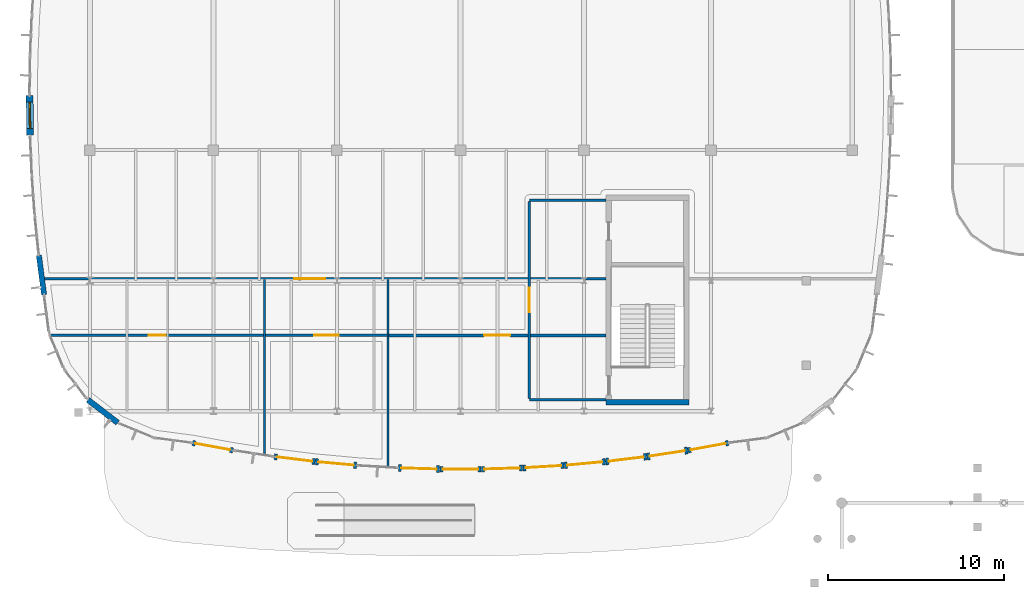
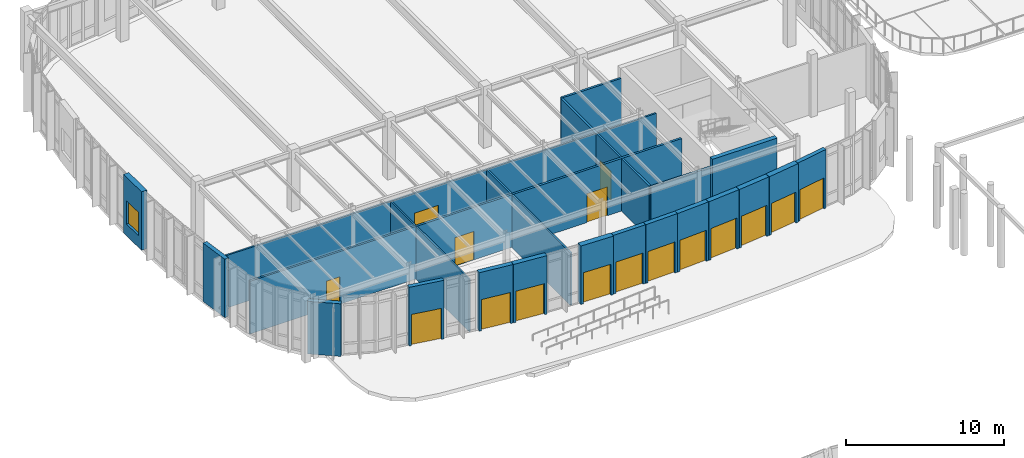
# One storey, part 91 of 120: 24 walls, 16 doors, 1 window, 17 openings.
"""IFC4 building model written with IfcOpenShell, lengths in metres."""

from ifc_helpers import new_model, si_unit, direction, frame, frame_2d, origin, place, context, subcontext, project, spatial, rectangle, extrude, material, layer, layer_set, type_object, element, fill, save


model = new_model("IFC4")

# Units and contexts
model_context = context("Model", 3, precision=1e-05, world=origin(), true_north=direction((0.0, 1.0)))
body_context = subcontext(model_context, "Body", "Model", "MODEL_VIEW")
ifc_project = project(units=[si_unit("LENGTHUNIT", "METRE"), si_unit("AREAUNIT", "SQUARE_METRE"), si_unit("VOLUMEUNIT", "CUBIC_METRE"), si_unit("PLANEANGLEUNIT", "RADIAN"), si_unit("MASSUNIT", "GRAM", prefix="KILO")], contexts=[model_context])

# Site, building, storey
site_placement = place(None, origin())
site = spatial("IfcSite", under=ifc_project, at=site_placement, CompositionType="ELEMENT")
building_placement = place(site_placement, origin())
building = spatial("IfcBuilding", under=site, at=building_placement, Name="Corveleigh Park Community Centre", CompositionType="ELEMENT")
storey_placement = place(building_placement, origin())
storey = spatial("IfcBuildingStorey", under=building, at=storey_placement, Name="L00", CompositionType="ELEMENT", Elevation=0.0)

# Wall, opening, door
ifc_material_1 = material(Name="Precast concrete C40/50", Category="concrete")
ifc_layer_1 = layer(ifc_material_1, 0.300048828125, Name="Precast concrete C40/50", Category="concrete")
ifc_layer_set_1 = layer_set([ifc_layer_1], Name="Precast concrete C40/50")
wall_type_1 = type_object("IfcWallType", Name="WL-EXT-300", PredefinedType="STANDARD", material=ifc_layer_set_1)
wall_1_placement = place(storey_placement, frame((19.305908203125, 75.777099609375, 0.0), z_axis=(0.0, 0.0, 1.0), x_axis=(-0.983594181888, 0.180395358465, 0.0)))
wall_1 = element("IfcWall", 1, at=wall_1_placement, inside=storey, type_object=wall_type_1, Name="V2 entrance wall", PredefinedType="STANDARD", context=body_context, shape_type="SweptSolid", body=[
    extrude(rectangle(XDim=2.333251953125, YDim=0.300048828125, at=frame_2d((1.16650390625, 0.0))), origin(), (0.0, 0.0, 1.0), 4.527099609375),
])
opening_1_placement = place(wall_1_placement, frame((0.1669921875, 0.0, 0.0)))
opening_1 = element("IfcOpeningElement", 2, at=opening_1_placement, cuts=wall_1, Name="Opening EXD1", PredefinedType="OPENING", context=body_context, shape_type="SweptSolid", body=[
    extrude(rectangle(XDim=2.0, YDim=2.39990234375, at=frame_2d((1.0, 1.199951171875))), frame((0.0, 0.159912109375, 0.0), z_axis=(0.0, -1.0, 0.0), x_axis=(1.0, 0.0, 0.0)), (0.0, 0.0, 1.0), 0.320068359375),
])
ifc_material_2 = material(Name="Powder-coated aluminium glazed door", Category="aluminium")
door_type_1 = type_object("IfcDoorType", Name="DR-EXT-2000x2400", OperationType="DOUBLE_DOOR_SINGLE_SWING", PredefinedType="DOOR", material=ifc_material_2)
door_1_placement = place(opening_1_placement, origin())
door_1 = element("IfcDoor", 3, at=door_1_placement, inside=storey, type_object=door_type_1, Name="V2 Final Exit EX04", OperationType="DOUBLE_DOOR_SINGLE_SWING", OverallHeight=2.39990234375, OverallWidth=2.0, PredefinedType="DOOR", context=body_context, shape_type="SweptSolid", body=[
    extrude(rectangle(XDim=2.0, YDim=2.39990234375, at=frame_2d((1.0, 1.199951171875))), frame((0.0, 0.02490234375, 0.0), z_axis=(0.0, -1.0, 0.0), x_axis=(1.0, 0.0, 0.0)), (0.0, 0.0, 1.0), 0.050048828125),
])
fill(opening_1, door_1)

wall_2_placement = place(storey_placement, frame((33.367919921875, 74.7099609375, 0.0), z_axis=(0.0, 0.0, 1.0), x_axis=(-1.0, 0.0, 0.0)))
wall_2 = element("IfcWall", 4, at=wall_2_placement, inside=storey, type_object=wall_type_1, Name="V2 entrance wall", PredefinedType="STANDARD", context=body_context, shape_type="SweptSolid", body=[
    extrude(rectangle(XDim=2.3359375, YDim=0.300048828125, at=frame_2d((1.16796875, 0.0))), origin(), (0.0, 0.0, 1.0), 4.527099609375),
])
opening_2_placement = place(wall_2_placement, frame((0.16796875, 0.0, 0.0)))
opening_2 = element("IfcOpeningElement", 5, at=opening_2_placement, cuts=wall_2, Name="Opening EXD1", PredefinedType="OPENING", context=body_context, shape_type="SweptSolid", body=[
    extrude(rectangle(XDim=2.0, YDim=2.39990234375, at=frame_2d((1.0, 1.199951171875))), frame((0.0, 0.159912109375, 0.0), z_axis=(0.0, -1.0, 0.0), x_axis=(1.0, 0.0, 0.0)), (0.0, 0.0, 1.0), 0.320068359375),
])
door_2_placement = place(opening_2_placement, origin())
door_2 = element("IfcDoor", 6, at=door_2_placement, inside=storey, type_object=door_type_1, Name="V2 Final Exit EX08", OperationType="DOUBLE_DOOR_SINGLE_SWING", OverallHeight=2.39990234375, OverallWidth=2.0, PredefinedType="DOOR", context=body_context, shape_type="SweptSolid", body=[
    extrude(rectangle(XDim=2.0, YDim=2.39990234375, at=frame_2d((1.0, 1.199951171875))), frame((0.0, 0.02490234375, 0.0), z_axis=(0.0, -1.0, 0.0), x_axis=(1.0, 0.0, 0.0)), (0.0, 0.0, 1.0), 0.050048828125),
])
fill(opening_2, door_2)

wall_3_placement = place(storey_placement, frame((47.388916015625, 76.197998046875, 0.0), z_axis=(0.0, 0.0, 1.0), x_axis=(-0.983594181888, -0.180395358465, 0.0)))
wall_3 = element("IfcWall", 7, at=wall_3_placement, inside=storey, type_object=wall_type_1, Name="V2 entrance wall", PredefinedType="STANDARD", context=body_context, shape_type="SweptSolid", body=[
    extrude(rectangle(XDim=2.333251953125, YDim=0.300048828125, at=frame_2d((1.16650390625, 0.0))), origin(), (0.0, 0.0, 1.0), 4.527099609375),
])
opening_3_placement = place(wall_3_placement, frame((0.1669921875, 0.0, 0.0)))
opening_3 = element("IfcOpeningElement", 8, at=opening_3_placement, cuts=wall_3, Name="Opening EXD1", PredefinedType="OPENING", context=body_context, shape_type="SweptSolid", body=[
    extrude(rectangle(XDim=2.0, YDim=2.39990234375, at=frame_2d((1.0, 1.199951171875))), frame((0.0, 0.159912109375, 0.0), z_axis=(0.0, -1.0, 0.0), x_axis=(1.0, 0.0, 0.0)), (0.0, 0.0, 1.0), 0.320068359375),
])
door_3_placement = place(opening_3_placement, origin())
door_3 = element("IfcDoor", 9, at=door_3_placement, inside=storey, type_object=door_type_1, Name="V2 Final Exit EX14", OperationType="DOUBLE_DOOR_SINGLE_SWING", OverallHeight=2.39990234375, OverallWidth=2.0, PredefinedType="DOOR", context=body_context, shape_type="SweptSolid", body=[
    extrude(rectangle(XDim=2.0, YDim=2.39990234375, at=frame_2d((1.0, 1.199951171875))), frame((0.0, 0.02490234375, 0.0), z_axis=(0.0, -1.0, 0.0), x_axis=(1.0, 0.0, 0.0)), (0.0, 0.0, 1.0), 0.050048828125),
])
fill(opening_3, door_3)

# Wall
wall_4_placement = place(storey_placement, frame((8.59912109375, 84.60595703125, 0.0), z_axis=(0.0, 0.0, 1.0), x_axis=(-0.130126583339, 0.991497388957, 0.0)))
element("IfcWall", 10, at=wall_4_placement, inside=storey, type_object=wall_type_1, Name="V2 L00 Precast Facade Wall", PredefinedType="STANDARD", context=body_context, shape_type="SweptSolid", body=[
    extrude(rectangle(XDim=2.253173828125, YDim=0.300048828125, at=frame_2d((1.12646484375, 0.0))), origin(), (0.0, 0.0, 1.0), 4.511962890625),
])

# Wall, opening, door
ifc_layer_2 = layer(ifc_material_1, 0.320068359375, Name="Precast concrete C40/50", Category="concrete")
ifc_layer_set_2 = layer_set([ifc_layer_2], Name="Precast concrete C40/50")
wall_type_2 = type_object("IfcWallType", Name="WL-EXT-320", PredefinedType="STANDARD", material=ifc_layer_set_2)
wall_5_placement = place(storey_placement, frame((35.719970703125, 74.781005859375, 0.0), z_axis=(0.0, 0.0, 1.0), x_axis=(-0.999537045267, -0.030425238512, 0.0)))
wall_5 = element("IfcWall", 11, at=wall_5_placement, inside=storey, type_object=wall_type_2, Name="V2 entrance wall", PredefinedType="STANDARD", context=body_context, shape_type="SweptSolid", body=[
    extrude(rectangle(XDim=2.3349609375, YDim=0.320068359375, at=frame_2d((1.16748046875, 0.0))), origin(), (0.0, 0.0, 1.0), 4.527099609375),
])
opening_4_placement = place(wall_5_placement, frame((0.1669921875, 0.0, 0.0)))
opening_4 = element("IfcOpeningElement", 12, at=opening_4_placement, cuts=wall_5, Name="Opening EXD1", PredefinedType="OPENING", context=body_context, shape_type="SweptSolid", body=[
    extrude(rectangle(XDim=2.0, YDim=2.39990234375, at=frame_2d((1.0, 1.199951171875))), frame((0.0, 0.169921875, 0.0), z_axis=(0.0, -1.0, 0.0), x_axis=(1.0, 0.0, 0.0)), (0.0, 0.0, 1.0), 0.340087890625),
])
door_4_placement = place(opening_4_placement, origin())
door_4 = element("IfcDoor", 13, at=door_4_placement, inside=storey, type_object=door_type_1, Name="V2 Final Exit EX09", OperationType="DOUBLE_DOOR_SINGLE_SWING", OverallHeight=2.39990234375, OverallWidth=2.0, PredefinedType="DOOR", context=body_context, shape_type="SweptSolid", body=[
    extrude(rectangle(XDim=2.0, YDim=2.39990234375, at=frame_2d((1.0, 1.199951171875))), frame((0.0, 0.02490234375, 0.0), z_axis=(0.0, -1.0, 0.0), x_axis=(1.0, 0.0, 0.0)), (0.0, 0.0, 1.0), 0.050048828125),
])
fill(opening_4, door_4)

# Wall
wall_6_placement = place(storey_placement, frame((12.77490234375, 77.343994140625, 0.0), z_axis=(0.0, 0.0, 1.0), x_axis=(-0.793266846185, 0.608874133745, 0.0)))
element("IfcWall", 14, at=wall_6_placement, inside=storey, type_object=wall_type_2, Name="V2 L00 Precast Facade Wall", PredefinedType="STANDARD", context=body_context, shape_type="SweptSolid", body=[
    extrude(rectangle(XDim=2.13037109375, YDim=0.320068359375, at=frame_2d((1.065185546875, 0.0))), origin(), (0.0, 0.0, 1.0), 4.054931640625),
])

# Wall, opening, door
ifc_layer_3 = layer(ifc_material_1, 0.340087890625, Name="Precast concrete C40/50", Category="concrete")
ifc_layer_set_3 = layer_set([ifc_layer_3], Name="Precast concrete C40/50")
wall_type_3 = type_object("IfcWallType", Name="WL-EXT-340", PredefinedType="STANDARD", material=ifc_layer_set_3)
wall_7_placement = place(storey_placement, frame((23.968994140625, 75.137939453125, 0.0), z_axis=(0.0, 0.0, 1.0), x_axis=(-0.992688695219, 0.120702752182, 0.0)))
wall_7 = element("IfcWall", 15, at=wall_7_placement, inside=storey, type_object=wall_type_3, Name="V2 entrance wall", PredefinedType="STANDARD", context=body_context, shape_type="SweptSolid", body=[
    extrude(rectangle(XDim=2.336181640625, YDim=0.340087890625, at=frame_2d((1.16796875, 0.0))), origin(), (0.0, 0.0, 1.0), 4.511962890625),
])
opening_5_placement = place(wall_7_placement, frame((0.16796875, 0.0, 0.0)))
opening_5 = element("IfcOpeningElement", 16, at=opening_5_placement, cuts=wall_7, Name="Opening EXD1", PredefinedType="OPENING", context=body_context, shape_type="SweptSolid", body=[
    extrude(rectangle(XDim=2.0, YDim=2.39990234375, at=frame_2d((1.0, 1.199951171875))), frame((0.0, 0.179931640625, 0.0), z_axis=(0.0, -1.0, 0.0), x_axis=(1.0, 0.0, 0.0)), (0.0, 0.0, 1.0), 0.360107421875),
])
door_5_placement = place(opening_5_placement, origin())
door_5 = element("IfcDoor", 17, at=door_5_placement, inside=storey, type_object=door_type_1, Name="V2 Final Exit EX05", OperationType="DOUBLE_DOOR_SINGLE_SWING", OverallHeight=2.39990234375, OverallWidth=2.0, PredefinedType="DOOR", context=body_context, shape_type="SweptSolid", body=[
    extrude(rectangle(XDim=2.0, YDim=2.39990234375, at=frame_2d((1.0, 1.199951171875))), frame((0.0, 0.02490234375, 0.0), z_axis=(0.0, -1.0, 0.0), x_axis=(1.0, 0.0, 0.0)), (0.0, 0.0, 1.0), 0.050048828125),
])
fill(opening_5, door_5)

wall_8_placement = place(storey_placement, frame((38.069091796875, 74.922119140625, 0.0), z_axis=(0.0, 0.0, 1.0), x_axis=(-0.998197838409, -0.06000896096, 0.0)))
wall_8 = element("IfcWall", 18, at=wall_8_placement, inside=storey, type_object=wall_type_3, Name="V2 entrance wall", PredefinedType="STANDARD", context=body_context, shape_type="SweptSolid", body=[
    extrude(rectangle(XDim=2.335205078125, YDim=0.340087890625, at=frame_2d((1.16748046875, 0.0))), origin(), (0.0, 0.0, 1.0), 4.527099609375),
])
opening_6_placement = place(wall_8_placement, frame((0.1669921875, 0.0, 0.0)))
opening_6 = element("IfcOpeningElement", 19, at=opening_6_placement, cuts=wall_8, Name="Opening EXD1", PredefinedType="OPENING", context=body_context, shape_type="SweptSolid", body=[
    extrude(rectangle(XDim=2.0, YDim=2.39990234375, at=frame_2d((1.0, 1.199951171875))), frame((0.0, 0.179931640625, 0.0), z_axis=(0.0, -1.0, 0.0), x_axis=(1.0, 0.0, 0.0)), (0.0, 0.0, 1.0), 0.360107421875),
])
door_6_placement = place(opening_6_placement, origin())
door_6 = element("IfcDoor", 20, at=door_6_placement, inside=storey, type_object=door_type_1, Name="V2 Final Exit EX10", OperationType="DOUBLE_DOOR_SINGLE_SWING", OverallHeight=2.39990234375, OverallWidth=2.0, PredefinedType="DOOR", context=body_context, shape_type="SweptSolid", body=[
    extrude(rectangle(XDim=2.0, YDim=2.39990234375, at=frame_2d((1.0, 1.199951171875))), frame((0.0, 0.02490234375, 0.0), z_axis=(0.0, -1.0, 0.0), x_axis=(1.0, 0.0, 0.0)), (0.0, 0.0, 1.0), 0.050048828125),
])
fill(opening_6, door_6)

ifc_layer_4 = layer(ifc_material_1, 0.360107421875, Name="Precast concrete C40/50", Category="concrete")
ifc_layer_set_4 = layer_set([ifc_layer_4], Name="Precast concrete C40/50")
wall_type_4 = type_object("IfcWallType", Name="WL-EXT-360", PredefinedType="STANDARD", material=ifc_layer_set_4)
wall_9_placement = place(storey_placement, frame((26.31298828125, 74.924072265625, 0.0), z_axis=(0.0, 0.0, 1.0), x_axis=(-0.995875193608, 0.090733669366, 0.0)))
wall_9 = element("IfcWall", 21, at=wall_9_placement, inside=storey, type_object=wall_type_4, Name="V2 entrance wall", PredefinedType="STANDARD", context=body_context, shape_type="SweptSolid", body=[
    extrude(rectangle(XDim=2.33544921875, YDim=0.360107421875, at=frame_2d((1.167724609375, 0.0))), origin(), (0.0, 0.0, 1.0), 4.511962890625),
])
opening_7_placement = place(wall_9_placement, frame((0.16796875, 0.0, 0.0)))
opening_7 = element("IfcOpeningElement", 22, at=opening_7_placement, cuts=wall_9, Name="Opening EXD1", PredefinedType="OPENING", context=body_context, shape_type="SweptSolid", body=[
    extrude(rectangle(XDim=2.0, YDim=2.39990234375, at=frame_2d((1.0, 1.199951171875))), frame((0.0, 0.18994140625, 0.0), z_axis=(0.0, -1.0, 0.0), x_axis=(1.0, 0.0, 0.0)), (0.0, 0.0, 1.0), 0.380126953125),
])
door_7_placement = place(opening_7_placement, origin())
door_7 = element("IfcDoor", 23, at=door_7_placement, inside=storey, type_object=door_type_1, Name="V2 Final Exit EX06", OperationType="DOUBLE_DOOR_SINGLE_SWING", OverallHeight=2.39990234375, OverallWidth=2.0, PredefinedType="DOOR", context=body_context, shape_type="SweptSolid", body=[
    extrude(rectangle(XDim=2.0, YDim=2.39990234375, at=frame_2d((1.0, 1.199951171875))), frame((0.0, 0.02490234375, 0.0), z_axis=(0.0, -1.0, 0.0), x_axis=(1.0, 0.0, 0.0)), (0.0, 0.0, 1.0), 0.050048828125),
])
fill(opening_7, door_7)

wall_10_placement = place(storey_placement, frame((40.4130859375, 75.135986328125, 0.0), z_axis=(0.0, 0.0, 1.0), x_axis=(-0.995876054042, -0.090724224906, 0.0)))
wall_10 = element("IfcWall", 24, at=wall_10_placement, inside=storey, type_object=wall_type_4, Name="V2 entrance wall", PredefinedType="STANDARD", context=body_context, shape_type="SweptSolid", body=[
    extrude(rectangle(XDim=2.335693359375, YDim=0.360107421875, at=frame_2d((1.16796875, 0.0))), origin(), (0.0, 0.0, 1.0), 4.527099609375),
])
opening_8_placement = place(wall_10_placement, frame((0.16796875, 0.0, 0.0)))
opening_8 = element("IfcOpeningElement", 25, at=opening_8_placement, cuts=wall_10, Name="Opening EXD1", PredefinedType="OPENING", context=body_context, shape_type="SweptSolid", body=[
    extrude(rectangle(XDim=2.0, YDim=2.39990234375, at=frame_2d((1.0, 1.199951171875))), frame((0.0, 0.18994140625, 0.0), z_axis=(0.0, -1.0, 0.0), x_axis=(1.0, 0.0, 0.0)), (0.0, 0.0, 1.0), 0.380126953125),
])
door_8_placement = place(opening_8_placement, origin())
door_8 = element("IfcDoor", 26, at=door_8_placement, inside=storey, type_object=door_type_1, Name="V2 Final Exit EX11", OperationType="DOUBLE_DOOR_SINGLE_SWING", OverallHeight=2.39990234375, OverallWidth=2.0, PredefinedType="DOOR", context=body_context, shape_type="SweptSolid", body=[
    extrude(rectangle(XDim=2.0, YDim=2.39990234375, at=frame_2d((1.0, 1.199951171875))), frame((0.0, 0.02490234375, 0.0), z_axis=(0.0, -1.0, 0.0), x_axis=(1.0, 0.0, 0.0)), (0.0, 0.0, 1.0), 0.050048828125),
])
fill(opening_8, door_8)

ifc_layer_5 = layer(ifc_material_1, 0.3798828125, Name="Precast concrete C40/50", Category="concrete")
ifc_layer_set_5 = layer_set([ifc_layer_5], Name="Precast concrete C40/50")
wall_type_5 = type_object("IfcWallType", Name="WL-EXT-380", PredefinedType="STANDARD", material=ifc_layer_set_5)
wall_11_placement = place(storey_placement, frame((42.75, 75.419921875, 0.0), z_axis=(0.0, 0.0, 1.0), x_axis=(-0.992688695219, -0.120702752182, 0.0)))
wall_11 = element("IfcWall", 27, at=wall_11_placement, inside=storey, type_object=wall_type_5, Name="V2 entrance wall", PredefinedType="STANDARD", context=body_context, shape_type="SweptSolid", body=[
    extrude(rectangle(XDim=2.336181640625, YDim=0.3798828125, at=frame_2d((1.16796875, 0.0))), origin(), (0.0, 0.0, 1.0), 4.527099609375),
])
opening_9_placement = place(wall_11_placement, frame((0.16796875, 0.0, 0.0)))
opening_9 = element("IfcOpeningElement", 28, at=opening_9_placement, cuts=wall_11, Name="Opening EXD1", PredefinedType="OPENING", context=body_context, shape_type="SweptSolid", body=[
    extrude(rectangle(XDim=2.0, YDim=2.39990234375, at=frame_2d((1.0, 1.199951171875))), frame((0.0, 0.199951171875, 0.0), z_axis=(0.0, -1.0, 0.0), x_axis=(1.0, 0.0, 0.0)), (0.0, 0.0, 1.0), 0.39990234375),
])
door_9_placement = place(opening_9_placement, origin())
door_9 = element("IfcDoor", 29, at=door_9_placement, inside=storey, type_object=door_type_1, Name="V2 Final Exit EX12", OperationType="DOUBLE_DOOR_SINGLE_SWING", OverallHeight=2.39990234375, OverallWidth=2.0, PredefinedType="DOOR", context=body_context, shape_type="SweptSolid", body=[
    extrude(rectangle(XDim=2.0, YDim=2.39990234375, at=frame_2d((1.0, 1.199951171875))), frame((0.0, 0.02490234375, 0.0), z_axis=(0.0, -1.0, 0.0), x_axis=(1.0, 0.0, 0.0)), (0.0, 0.0, 1.0), 0.050048828125),
])
fill(opening_9, door_9)

ifc_material_3 = material(Name="Concrete C40/50", Category="concrete")
ifc_layer_6 = layer(ifc_material_3, 0.39990234375, Name="Concrete C40/50", Category="concrete")
ifc_layer_set_6 = layer_set([ifc_layer_6], Name="Concrete C40/50")
wall_type_6 = type_object("IfcWallType", Name="WL-EXT-400", PredefinedType="STANDARD", material=ifc_layer_set_6)
wall_12_placement = place(storey_placement, frame((31.013916015625, 74.7099609375, 0.0), z_axis=(0.0, 0.0, 1.0), x_axis=(-0.999537045267, 0.030425238512, 0.0)))
wall_12 = element("IfcWall", 30, at=wall_12_placement, inside=storey, type_object=wall_type_6, Name="V2 entrance wall", PredefinedType="STANDARD", context=body_context, shape_type="SweptSolid", body=[
    extrude(rectangle(XDim=2.3349609375, YDim=0.39990234375, at=frame_2d((1.16748046875, 0.0))), origin(), (0.0, 0.0, 1.0), 4.511962890625),
])
opening_10_placement = place(wall_12_placement, frame((0.1669921875, 0.0, 0.0)))
opening_10 = element("IfcOpeningElement", 31, at=opening_10_placement, cuts=wall_12, Name="Opening EXD1", PredefinedType="OPENING", context=body_context, shape_type="SweptSolid", body=[
    extrude(rectangle(XDim=2.0, YDim=2.39990234375, at=frame_2d((1.0, 1.199951171875))), frame((0.0, 0.2099609375, 0.0), z_axis=(0.0, -1.0, 0.0), x_axis=(1.0, 0.0, 0.0)), (0.0, 0.0, 1.0), 0.419921875),
])
door_10_placement = place(opening_10_placement, origin())
door_10 = element("IfcDoor", 32, at=door_10_placement, inside=storey, type_object=door_type_1, Name="V2 Final Exit EX07", OperationType="DOUBLE_DOOR_SINGLE_SWING", OverallHeight=2.39990234375, OverallWidth=2.0, PredefinedType="DOOR", context=body_context, shape_type="SweptSolid", body=[
    extrude(rectangle(XDim=2.0, YDim=2.39990234375, at=frame_2d((1.0, 1.199951171875))), frame((0.0, 0.02490234375, 0.0), z_axis=(0.0, -1.0, 0.0), x_axis=(1.0, 0.0, 0.0)), (0.0, 0.0, 1.0), 0.050048828125),
])
fill(opening_10, door_10)

wall_13_placement = place(storey_placement, frame((45.075927734375, 75.77392578125, 0.0), z_axis=(0.0, 0.0, 1.0), x_axis=(-0.988579919495, -0.150697520786, 0.0)))
wall_13 = element("IfcWall", 33, at=wall_13_placement, inside=storey, type_object=wall_type_6, Name="V2 entrance wall", PredefinedType="STANDARD", context=body_context, shape_type="SweptSolid", body=[
    extrude(rectangle(XDim=2.33447265625, YDim=0.39990234375, at=frame_2d((1.167236328125, 0.0))), origin(), (0.0, 0.0, 1.0), 4.527099609375),
])
opening_11_placement = place(wall_13_placement, frame((0.1669921875, 0.0, 0.0)))
opening_11 = element("IfcOpeningElement", 34, at=opening_11_placement, cuts=wall_13, Name="Opening EXD1", PredefinedType="OPENING", context=body_context, shape_type="SweptSolid", body=[
    extrude(rectangle(XDim=2.0, YDim=2.39990234375, at=frame_2d((1.0, 1.199951171875))), frame((0.0, 0.2099609375, 0.0), z_axis=(0.0, -1.0, 0.0), x_axis=(1.0, 0.0, 0.0)), (0.0, 0.0, 1.0), 0.419921875),
])
door_11_placement = place(opening_11_placement, origin())
door_11 = element("IfcDoor", 35, at=door_11_placement, inside=storey, type_object=door_type_1, Name="V2 Final Exit EX13", OperationType="DOUBLE_DOOR_SINGLE_SWING", OverallHeight=2.39990234375, OverallWidth=2.0, PredefinedType="DOOR", context=body_context, shape_type="SweptSolid", body=[
    extrude(rectangle(XDim=2.0, YDim=2.39990234375, at=frame_2d((1.0, 1.199951171875))), frame((0.0, 0.02490234375, 0.0), z_axis=(0.0, -1.0, 0.0), x_axis=(1.0, 0.0, 0.0)), (0.0, 0.0, 1.0), 0.050048828125),
])
fill(opening_11, door_11)

# Wall, opening, window
wall_14_placement = place(storey_placement, frame((7.81298828125, 93.64111328125, 0.0), z_axis=(0.0, 0.0, 1.0), x_axis=(-0.014646866146, 0.999892728903, 0.0)))
wall_14 = element("IfcWall", 36, at=wall_14_placement, inside=storey, type_object=wall_type_6, Name="V2 L00 Precast Facade Wall", PredefinedType="STANDARD", context=body_context, shape_type="SweptSolid", body=[
    extrude(rectangle(XDim=2.250244140625, YDim=0.39990234375, at=frame_2d((1.125, 0.0))), origin(), (0.0, 0.0, 1.0), 4.511962890625),
])
opening_12_placement = place(wall_14_placement, frame((0.375, 0.0, 0.89990234375)))
opening_12 = element("IfcOpeningElement", 37, at=opening_12_placement, cuts=wall_14, Name="Opening W11", PredefinedType="OPENING", context=body_context, shape_type="SweptSolid", body=[
    extrude(rectangle(XDim=1.5, YDim=1.800048828125, at=frame_2d((0.75, 0.89990234375))), frame((0.0, 0.2099609375, 0.0), z_axis=(0.0, -1.0, 0.0), x_axis=(1.0, 0.0, 0.0)), (0.0, 0.0, 1.0), 0.419921875),
])
ifc_material_4 = material(Name="Low-E double glazing", Category="glass")
window_type = type_object("IfcWindowType", Name="WIN-EXT-1500x1800", PartitioningType="SINGLE_PANEL", PredefinedType="WINDOW", material=ifc_material_4)
window_placement = place(opening_12_placement, origin())
window = element("IfcWindow", 38, at=window_placement, inside=storey, type_object=window_type, Name="V2 L00 Window 11", OverallHeight=1.800048828125, OverallWidth=1.5, PartitioningType="SINGLE_PANEL", PredefinedType="WINDOW", context=body_context, shape_type="SweptSolid", body=[
    extrude(rectangle(XDim=1.5, YDim=1.800048828125, at=frame_2d((0.75, 0.89990234375))), frame((0.0, 0.030029296875, 0.0), z_axis=(0.0, -1.0, 0.0), x_axis=(1.0, 0.0, 0.0)), (0.0, 0.0, 1.0), 0.06005859375),
])
fill(opening_12, window)

# Wall
ifc_material_5 = material(Name="Gypsum acoustic stud partition", Category="gypsum")
ifc_layer_7 = layer(ifc_material_5, 0.114990234375, Name="Gypsum acoustic stud partition", Category="gypsum")
ifc_layer_set_7 = layer_set([ifc_layer_7], Name="Gypsum acoustic stud partition")
wall_type_7 = type_object("IfcWallType", Name="WL-PRT-115", PredefinedType="PARTITIONING", material=ifc_layer_set_7)
wall_15_placement = place(storey_placement, frame((21.10009765625, 75.5029296875, 0.0), z_axis=(0.0, 0.0, 1.0), x_axis=(0.0, 1.0, 0.0)))
element("IfcWall", 39, at=wall_15_placement, inside=storey, type_object=wall_type_7, Name="Home and Away Team Changing partition", PredefinedType="PARTITIONING", context=body_context, shape_type="SweptSolid", body=[
    extrude(rectangle(XDim=9.947021484375, YDim=0.114990234375, at=frame_2d((4.9736328125, 0.0))), origin(), (0.0, 0.0, 1.0), 4.054931640625),
])

# Wall, opening, door
ifc_layer_8 = layer(ifc_material_5, 0.125, Name="Gypsum acoustic stud partition", Category="gypsum")
ifc_layer_set_8 = layer_set([ifc_layer_8], Name="Gypsum acoustic stud partition")
wall_type_8 = type_object("IfcWallType", Name="WL-PRT-125", PredefinedType="PARTITIONING", material=ifc_layer_set_8)
wall_16_placement = place(storey_placement, frame((40.449951171875, 85.5, 0.0), z_axis=(0.0, 0.0, 1.0), x_axis=(-1.0, 0.0, 0.0)))
wall_16 = element("IfcWall", 40, at=wall_16_placement, inside=storey, type_object=wall_type_8, Name="Community Sports Hall corridor wall", PredefinedType="PARTITIONING", context=body_context, shape_type="SweptSolid", body=[
    extrude(rectangle(XDim=31.828857421875, YDim=0.125, at=frame_2d((15.91455078125, 0.0))), origin(), (0.0, 0.0, 1.0), 4.054931640625),
])
opening_13_placement = place(wall_16_placement, frame((15.9150390625, 0.0, 0.0)))
opening_13 = element("IfcOpeningElement", 41, at=opening_13_placement, cuts=wall_16, Name="Opening FD08", PredefinedType="OPENING", context=body_context, shape_type="SweptSolid", body=[
    extrude(rectangle(XDim=1.760009765625, YDim=2.52001953125, at=frame_2d((0.8798828125, 1.260009765625))), frame((0.0, 0.072509765625, 0.0), z_axis=(0.0, -1.0, 0.0), x_axis=(1.0, 0.0, 0.0)), (0.0, 0.0, 1.0), 0.14501953125),
])
ifc_material_6 = material(Name="Hardwood acoustic door leaf", Category="wood")
door_type_2 = type_object("IfcDoorType", Name="DR-FIR-1760x2520", OperationType="DOUBLE_DOOR_SINGLE_SWING", PredefinedType="DOOR", material=ifc_material_6)
door_12_placement = place(opening_13_placement, origin())
door_12 = element("IfcDoor", 42, at=door_12_placement, inside=storey, type_object=door_type_2, Name="Community Sports Hall door", OperationType="DOUBLE_DOOR_SINGLE_SWING", OverallHeight=2.52001953125, OverallWidth=1.760009765625, PredefinedType="DOOR", context=body_context, shape_type="SweptSolid", body=[
    extrude(rectangle(XDim=1.760009765625, YDim=2.52001953125, at=frame_2d((0.8798828125, 1.260009765625))), frame((0.0, 0.02490234375, 0.0), z_axis=(0.0, -1.0, 0.0), x_axis=(1.0, 0.0, 0.0)), (0.0, 0.0, 1.0), 0.050048828125),
])
fill(opening_13, door_12)

# Wall
wall_17_placement = place(storey_placement, frame((28.10009765625, 74.81591796875, 0.0), z_axis=(0.0, 0.0, 1.0), x_axis=(0.0, 1.0, 0.0)))
element("IfcWall", 43, at=wall_17_placement, inside=storey, type_object=wall_type_8, Name="Accessible Changing and Toilets partition", PredefinedType="PARTITIONING", context=body_context, shape_type="SweptSolid", body=[
    extrude(rectangle(XDim=10.634033203125, YDim=0.125, at=frame_2d((5.31689453125, 0.0))), origin(), (0.0, 0.0, 1.0), 4.054931640625),
])

# Wall, opening, door
ifc_layer_9 = layer(ifc_material_5, 0.139892578125, Name="Gypsum acoustic stud partition", Category="gypsum")
ifc_layer_set_9 = layer_set([ifc_layer_9], Name="Gypsum acoustic stud partition")
wall_type_9 = type_object("IfcWallType", Name="WL-PRT-140", PredefinedType="PARTITIONING", material=ifc_layer_set_9)
wall_18_placement = place(storey_placement, frame((8.93798828125, 82.300048828125, 0.0), z_axis=(0.0, 0.0, 1.0), x_axis=(1.0, 0.0, 0.0)))
wall_18 = element("IfcWall", 44, at=wall_18_placement, inside=storey, type_object=wall_type_9, Name="Home and Away Team Changing corridor wall", PredefinedType="PARTITIONING", context=body_context, shape_type="SweptSolid", body=[
    extrude(rectangle(XDim=12.162109375, YDim=0.139892578125, at=frame_2d((6.0810546875, 0.0))), origin(), (0.0, 0.0, 1.0), 4.05810546875),
])
opening_14_placement = place(wall_18_placement, frame((5.591064453125, 0.0, 0.0)))
opening_14 = element("IfcOpeningElement", 45, at=opening_14_placement, cuts=wall_18, Name="Opening FD06", PredefinedType="OPENING", context=body_context, shape_type="SweptSolid", body=[
    extrude(rectangle(XDim=0.97998046875, YDim=2.1201171875, at=frame_2d((0.489990234375, 1.06005859375))), frame((0.0, 0.079833984375, 0.0), z_axis=(0.0, -1.0, 0.0), x_axis=(1.0, 0.0, 0.0)), (0.0, 0.0, 1.0), 0.159912109375),
])
door_type_3 = type_object("IfcDoorType", Name="DR-FIR-0980x2120", OperationType="NOTDEFINED", PredefinedType="DOOR", material=ifc_material_6)
door_13_placement = place(opening_14_placement, origin())
door_13 = element("IfcDoor", 46, at=door_13_placement, inside=storey, type_object=door_type_3, Name="Home and Away Team Changing door", OperationType="SINGLE_SWING_RIGHT", OverallHeight=2.1201171875, OverallWidth=0.97998046875, PredefinedType="DOOR", context=body_context, shape_type="SweptSolid", body=[
    extrude(rectangle(XDim=0.97998046875, YDim=2.1201171875, at=frame_2d((0.489990234375, 1.06005859375))), frame((0.0, 0.02490234375, 0.0), z_axis=(0.0, -1.0, 0.0), x_axis=(1.0, 0.0, 0.0)), (0.0, 0.0, 1.0), 0.050048828125),
])
fill(opening_14, door_13)

# Walls
ifc_layer_10 = layer(ifc_material_5, 0.14990234375, Name="Gypsum acoustic stud partition", Category="gypsum")
ifc_layer_set_10 = layer_set([ifc_layer_10], Name="Gypsum acoustic stud partition")
wall_type_10 = type_object("IfcWallType", Name="WL-PRT-150", PredefinedType="PARTITIONING", material=ifc_layer_set_10)
for number, where, z_axis, x_axis, name in (
    (47, (36.10009765625, 78.64990234375, 0.0), (0.0, 0.0, 1.0), (1.0, 0.0, 0.0), "CORE3 lobby south wall"),
    (48, (40.452880859375, 89.949951171875, 0.0), (0.0, 0.0, 1.0), (-1.0, 0.0, 0.0), "CORE3 lobby north wall"),
):
    element("IfcWall", number, at=place(storey_placement, frame(where, z_axis=z_axis, x_axis=x_axis)), inside=storey, type_object=wall_type_10, Name=name, PredefinedType="PARTITIONING", context=body_context, shape_type="SweptSolid", body=[
        extrude(rectangle(XDim=4.352783203125, YDim=0.14990234375, at=frame_2d((2.17626953125, 0.0))), origin(), (0.0, 0.0, 1.0), 4.05810546875),
    ])

# Wall, opening, door
wall_19_placement = place(storey_placement, frame((36.10009765625, 89.8701171875, 0.0), z_axis=(0.0, 0.0, 1.0), x_axis=(0.0, -1.0, 0.0)))
wall_19 = element("IfcWall", 49, at=wall_19_placement, inside=storey, type_object=wall_type_10, Name="CORE3 lobby corridor wall", PredefinedType="PARTITIONING", context=body_context, shape_type="SweptSolid", body=[
    extrude(rectangle(XDim=11.14013671875, YDim=0.14990234375, at=frame_2d((5.570068359375, 0.0))), origin(), (0.0, 0.0, 1.0), 4.054931640625),
])
opening_15_placement = place(wall_19_placement, frame((4.8798828125, 0.0, 0.0)))
opening_15 = element("IfcOpeningElement", 50, at=opening_15_placement, cuts=wall_19, Name="Opening FD02", PredefinedType="OPENING", context=body_context, shape_type="SweptSolid", body=[
    extrude(rectangle(XDim=1.3798828125, YDim=2.199951171875, at=frame_2d((0.68994140625, 1.10009765625))), frame((0.0, 0.0849609375, 0.0), z_axis=(0.0, -1.0, 0.0), x_axis=(1.0, 0.0, 0.0)), (0.0, 0.0, 1.0), 0.169921875),
])
door_type_4 = type_object("IfcDoorType", Name="DR-FIR-1380x2200", OperationType="DOUBLE_DOOR_SINGLE_SWING", PredefinedType="DOOR", material=ifc_material_6)
door_14_placement = place(opening_15_placement, origin())
door_14 = element("IfcDoor", 51, at=door_14_placement, inside=storey, type_object=door_type_4, Name="Lobby CORE3 corridor door L00", OperationType="DOUBLE_DOOR_SINGLE_SWING", OverallHeight=2.199951171875, OverallWidth=1.3798828125, PredefinedType="DOOR", context=body_context, shape_type="SweptSolid", body=[
    extrude(rectangle(XDim=1.3798828125, YDim=2.199951171875, at=frame_2d((0.68994140625, 1.10009765625))), frame((0.0, 0.02490234375, 0.0), z_axis=(0.0, -1.0, 0.0), x_axis=(1.0, 0.0, 0.0)), (0.0, 0.0, 1.0), 0.050048828125),
])
fill(opening_15, door_14)

wall_20_placement = place(storey_placement, frame((21.10009765625, 82.300048828125, 0.0), z_axis=(0.0, 0.0, 1.0), x_axis=(1.0, 0.0, 0.0)))
wall_20 = element("IfcWall", 52, at=wall_20_placement, inside=storey, type_object=wall_type_10, Name="Accessible Changing and Toilets corridor wall", PredefinedType="PARTITIONING", context=body_context, shape_type="SweptSolid", body=[
    extrude(rectangle(XDim=7.0, YDim=0.14990234375, at=frame_2d((3.5, 0.0))), origin(), (0.0, 0.0, 1.0), 4.05810546875),
])
opening_16_placement = place(wall_20_placement, frame((2.81005859375, 0.0, 0.0)))
opening_16 = element("IfcOpeningElement", 53, at=opening_16_placement, cuts=wall_20, Name="Opening FD02", PredefinedType="OPENING", context=body_context, shape_type="SweptSolid", body=[
    extrude(rectangle(XDim=1.3798828125, YDim=2.199951171875, at=frame_2d((0.68994140625, 1.10009765625))), frame((0.0, 0.0849609375, 0.0), z_axis=(0.0, -1.0, 0.0), x_axis=(1.0, 0.0, 0.0)), (0.0, 0.0, 1.0), 0.169921875),
])
door_15_placement = place(opening_16_placement, origin())
door_15 = element("IfcDoor", 54, at=door_15_placement, inside=storey, type_object=door_type_4, Name="Accessible Changing and Toilets door", OperationType="DOUBLE_DOOR_SINGLE_SWING", OverallHeight=2.199951171875, OverallWidth=1.3798828125, PredefinedType="DOOR", context=body_context, shape_type="SweptSolid", body=[
    extrude(rectangle(XDim=1.3798828125, YDim=2.199951171875, at=frame_2d((0.68994140625, 1.10009765625))), frame((0.0, 0.02490234375, 0.0), z_axis=(0.0, -1.0, 0.0), x_axis=(1.0, 0.0, 0.0)), (0.0, 0.0, 1.0), 0.050048828125),
])
fill(opening_16, door_15)

ifc_layer_11 = layer(ifc_material_5, 0.1650390625, Name="Gypsum acoustic stud partition", Category="gypsum")
ifc_layer_set_11 = layer_set([ifc_layer_11], Name="Gypsum acoustic stud partition")
wall_type_11 = type_object("IfcWallType", Name="WL-PRT-165", PredefinedType="PARTITIONING", material=ifc_layer_set_11)
wall_21_placement = place(storey_placement, frame((28.10009765625, 82.300048828125, 0.0), z_axis=(0.0, 0.0, 1.0), x_axis=(1.0, 0.0, 0.0)))
wall_21 = element("IfcWall", 55, at=wall_21_placement, inside=storey, type_object=wall_type_11, Name="Sports Equipment Store corridor wall", PredefinedType="PARTITIONING", context=body_context, shape_type="SweptSolid", body=[
    extrude(rectangle(XDim=12.349853515625, YDim=0.1650390625, at=frame_2d((6.1748046875, 0.0))), origin(), (0.0, 0.0, 1.0), 4.05810546875),
])
opening_17_placement = place(wall_21_placement, frame((5.43505859375, 0.0, 0.0)))
opening_17 = element("IfcOpeningElement", 56, at=opening_17_placement, cuts=wall_21, Name="Opening FD01", PredefinedType="OPENING", context=body_context, shape_type="SweptSolid", body=[
    extrude(rectangle(XDim=1.47998046875, YDim=2.219970703125, at=frame_2d((0.739990234375, 1.10986328125))), frame((0.0, 0.092529296875, 0.0), z_axis=(0.0, -1.0, 0.0), x_axis=(1.0, 0.0, 0.0)), (0.0, 0.0, 1.0), 0.18505859375),
])
door_type_5 = type_object("IfcDoorType", Name="DR-FIR-1480x2220", OperationType="DOUBLE_DOOR_SINGLE_SWING", PredefinedType="DOOR", material=ifc_material_6)
door_16_placement = place(opening_17_placement, origin())
door_16 = element("IfcDoor", 57, at=door_16_placement, inside=storey, type_object=door_type_5, Name="Sports Equipment Store door", OperationType="DOUBLE_DOOR_SINGLE_SWING", OverallHeight=2.219970703125, OverallWidth=1.47998046875, PredefinedType="DOOR", context=body_context, shape_type="SweptSolid", body=[
    extrude(rectangle(XDim=1.47998046875, YDim=2.219970703125, at=frame_2d((0.739990234375, 1.10986328125))), frame((0.0, 0.02490234375, 0.0), z_axis=(0.0, -1.0, 0.0), x_axis=(1.0, 0.0, 0.0)), (0.0, 0.0, 1.0), 0.050048828125),
])
fill(opening_17, door_16)

# Wall
ifc_layer_12 = layer(ifc_material_3, 0.324951171875, Name="Concrete C40/50", Category="concrete")
ifc_layer_set_12 = layer_set([ifc_layer_12], Name="Concrete C40/50")
wall_type_12 = type_object("IfcWallType", Name="WL-SHR-325", PredefinedType="SHEAR", material=ifc_layer_set_12)
wall_22_placement = place(storey_placement, frame((40.43798828125, 78.5, 0.0), z_axis=(0.0, 0.0, 1.0), x_axis=(1.0, 0.0, 0.0)))
element("IfcWall", 58, at=wall_22_placement, inside=storey, type_object=wall_type_12, Name="CORE3 south shear wall", PredefinedType="SHEAR", context=body_context, shape_type="SweptSolid", body=[
    extrude(rectangle(XDim=4.72509765625, YDim=0.324951171875, at=frame_2d((2.362548828125, 0.0))), origin(), (0.0, 0.0, 1.0), 4.800048828125),
])

save(model, "model.ifc")
